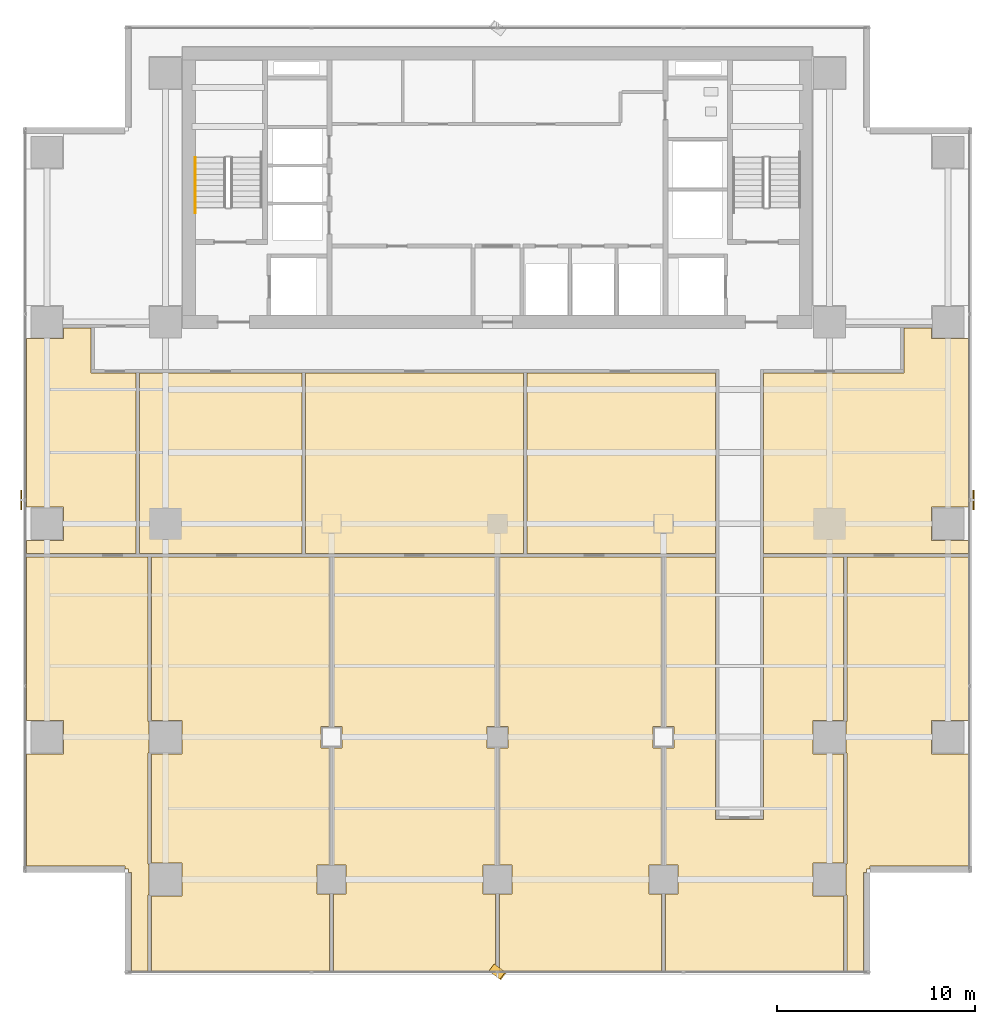
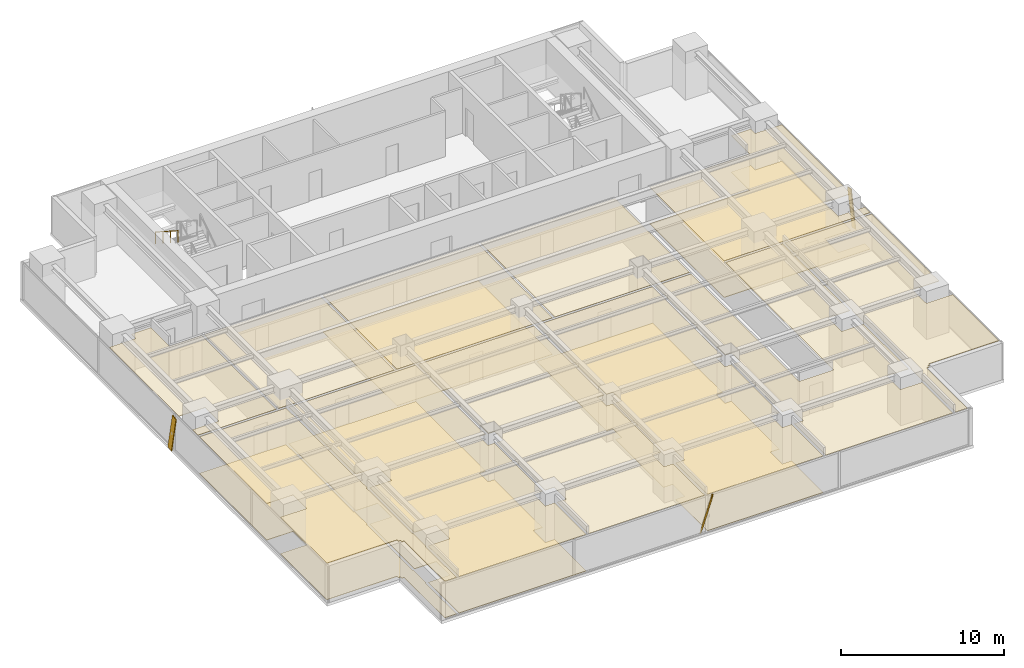
# One storey, part 24 of 28: 16 coverings, 3 shading devices, 1 railing.
"""IFC4 building model written with IfcOpenShell, lengths in metres."""

from ifc_helpers import new_model, si_unit, direction, frame, origin, origin_2d, place, context, subcontext, project, spatial, polyline, rectangle, outline, extrude, source, transform, mapped, material, layer, layer_set, material_profile, profile_set, type_object, element, save


model = new_model("IFC4")

# Units and contexts
model_context = context("Model", 3, precision=1e-05, world=origin(), true_north=direction((0.0, 1.0)))
body_context = subcontext(model_context, "Body", "Model", "MODEL_VIEW")
ifc_project = project(units=[si_unit("LENGTHUNIT", "METRE"), si_unit("AREAUNIT", "SQUARE_METRE"), si_unit("VOLUMEUNIT", "CUBIC_METRE"), si_unit("PLANEANGLEUNIT", "RADIAN"), si_unit("MASSUNIT", "GRAM", prefix="KILO")], contexts=[model_context])

# Site, building, storey
site_placement = place(None, origin())
site = spatial("IfcSite", under=ifc_project, at=site_placement, CompositionType="ELEMENT")
building_placement = place(site_placement, origin())
building = spatial("IfcBuilding", under=site, at=building_placement, Name="Sumidabori Civic Tower", CompositionType="ELEMENT")
storey_placement = place(building_placement, frame((0.0, 0.0, 149.60009765625)))
storey = spatial("IfcBuildingStorey", under=building, at=storey_placement, Name="L38", CompositionType="ELEMENT", Elevation=149.60009765625)

# Coverings
ifc_material_1 = material(Name="Acoustic Mineral Gypsum Ceiling Tile")
ifc_layer_1 = layer(ifc_material_1, 0.034912109375, Name="Acoustic Mineral Gypsum Ceiling Tile")
ifc_layer_set_1 = layer_set([ifc_layer_1], Name="Acoustic Mineral Gypsum Ceiling Tile")
covering_type_1 = type_object("IfcCoveringType", Name="CV-CEIL-AC1", PredefinedType="CEILING", material=ifc_layer_set_1)
covering_1_placement = place(storey_placement, frame((0.0, 0.0, 2.72998046875)))
element("IfcCovering", 1, at=covering_1_placement, inside=storey, type_object=covering_type_1, Name="Room Acoustic Ceiling L38-02", PredefinedType="CEILING", context=body_context, shape_type="SweptSolid", body=[
    extrude(outline(polyline([(-21.9599609375, 9.360107421875), (-21.9599609375, 9.905029296875), (-20.570068359375, 9.905029296875), (-20.570068359375, 7.6298828125), (-18.294921875, 7.6298828125), (-18.294921875, -1.5048828125), (-23.830078125, -1.5048828125), (-23.830078125, -0.840087890625), (-21.9599609375, -0.840087890625), (-21.9599609375, 0.840087890625), (-23.830078125, 0.840087890625), (-23.830078125, 9.360107421875), (-21.9599609375, 9.360107421875)])), origin(), (0.0, 0.0, 1.0), 0.034912109375),
])
covering_2_placement = place(storey_placement, frame((0.0, 0.0, 2.72998046875)))
element("IfcCovering", 2, at=covering_2_placement, inside=storey, type_object=covering_type_1, Name="Room Acoustic Ceiling L38-03", PredefinedType="CEILING", context=body_context, shape_type="SweptSolid", body=[
    extrude(outline(polyline([(13.469970703125, 7.6298828125), (20.570068359375, 7.6298828125), (20.570068359375, 9.905029296875), (21.9599609375, 9.905029296875), (21.9599609375, 9.360107421875), (23.830078125, 9.360107421875), (23.830078125, 0.840087890625), (21.9599609375, 0.840087890625), (21.9599609375, -0.840087890625), (23.830078125, -0.840087890625), (23.830078125, -1.5048828125), (13.469970703125, -1.5048828125), (13.469970703125, 7.6298828125)])), origin(), (0.0, 0.0, 1.0), 0.034912109375),
])
covering_3_placement = place(storey_placement, frame((0.0, 0.0, 2.72998046875)))
element("IfcCovering", 3, at=covering_3_placement, inside=storey, type_object=covering_type_1, Name="Room Acoustic Ceiling L38-04", PredefinedType="CEILING", context=body_context, shape_type="SweptSolid", body=[
    extrude(outline(polyline([(-18.10498046875, 7.6298828125), (-9.89501953125, 7.6298828125), (-9.89501953125, -1.5048828125), (-18.10498046875, -1.5048828125), (-18.10498046875, 7.6298828125)])), origin(), (0.0, 0.0, 1.0), 0.034912109375),
])
covering_4_placement = place(storey_placement, frame((0.0, 0.0, 2.72998046875)))
element("IfcCovering", 4, at=covering_4_placement, inside=storey, type_object=covering_type_1, Name="Room Acoustic Ceiling L38-05", PredefinedType="CEILING", context=body_context, shape_type="SweptSolid", body=[
    extrude(outline(polyline([(-9.705078125, 7.6298828125), (1.304931640625, 7.6298828125), (1.304931640625, -1.5048828125), (-9.705078125, -1.5048828125), (-9.705078125, 7.6298828125)])), origin(), (0.0, 0.0, 1.0), 0.034912109375),
])
covering_5_placement = place(storey_placement, frame((0.0, 0.0, 2.72998046875)))
element("IfcCovering", 5, at=covering_5_placement, inside=storey, type_object=covering_type_1, Name="Room Acoustic Ceiling L38-06", PredefinedType="CEILING", context=body_context, shape_type="SweptSolid", body=[
    extrude(outline(polyline([(1.4951171875, 7.6298828125), (11.030029296875, 7.6298828125), (11.030029296875, -1.5048828125), (1.4951171875, -1.5048828125), (1.4951171875, 7.6298828125)])), origin(), (0.0, 0.0, 1.0), 0.034912109375),
])
covering_6_placement = place(storey_placement, frame((0.0, 0.0, 2.72998046875)))
element("IfcCovering", 6, at=covering_6_placement, inside=storey, type_object=covering_type_1, Name="Room Acoustic Ceiling L38-07", PredefinedType="CEILING", context=body_context, shape_type="SweptSolid", body=[
    extrude(outline(polyline([(-21.9599609375, -11.639892578125), (-21.9599609375, -9.9599609375), (-23.830078125, -9.9599609375), (-23.830078125, -1.695068359375), (-17.695068359375, -1.695068359375), (-17.695068359375, -10.010009765625), (-17.639892578125, -10.010009765625), (-17.639892578125, -11.590087890625), (-17.695068359375, -11.590087890625), (-17.695068359375, -17.2099609375), (-17.639892578125, -17.2099609375), (-17.639892578125, -18.7900390625), (-17.695068359375, -18.7900390625), (-17.695068359375, -22.6298828125), (-18.52197265625, -22.6298828125), (-18.52197265625, -17.64208984375), (-18.679931640625, -17.64208984375), (-18.679931640625, -17.47998046875), (-18.842041015625, -17.47998046875), (-18.842041015625, -17.322021484375), (-23.830078125, -17.322021484375), (-23.830078125, -11.639892578125), (-21.9599609375, -11.639892578125)])), origin(), (0.0, 0.0, 1.0), 0.034912109375),
])
covering_7_placement = place(storey_placement, frame((0.0, 0.0, 2.72998046875)))
element("IfcCovering", 7, at=covering_7_placement, inside=storey, type_object=covering_type_1, Name="Room Acoustic Ceiling L38-08", PredefinedType="CEILING", context=body_context, shape_type="SweptSolid", body=[
    extrude(outline(polyline([(17.695068359375, -18.7900390625), (17.639892578125, -18.7900390625), (17.639892578125, -17.2099609375), (17.695068359375, -17.2099609375), (17.695068359375, -11.590087890625), (17.639892578125, -11.590087890625), (17.639892578125, -10.010009765625), (17.695068359375, -10.010009765625), (17.695068359375, -1.695068359375), (23.830078125, -1.695068359375), (23.830078125, -9.9599609375), (21.9599609375, -9.9599609375), (21.9599609375, -11.639892578125), (23.830078125, -11.639892578125), (23.830078125, -17.322021484375), (18.842041015625, -17.322021484375), (18.842041015625, -17.47998046875), (18.679931640625, -17.47998046875), (18.679931640625, -17.64208984375), (18.52197265625, -17.64208984375), (18.52197265625, -22.6298828125), (17.695068359375, -22.6298828125), (17.695068359375, -18.7900390625)])), origin(), (0.0, 0.0, 1.0), 0.034912109375),
])
covering_8_placement = place(storey_placement, frame((0.0, 0.0, 2.72998046875)))
element("IfcCovering", 8, at=covering_8_placement, inside=storey, type_object=covering_type_1, Name="Room Acoustic Ceiling L38-09", PredefinedType="CEILING", context=body_context, shape_type="SweptSolid", body=[
    extrude(outline(polyline([(-17.5048828125, -18.840087890625), (-15.9599609375, -18.840087890625), (-15.9599609375, -17.159912109375), (-17.5048828125, -17.159912109375), (-17.5048828125, -11.639892578125), (-15.9599609375, -11.639892578125), (-15.9599609375, -9.9599609375), (-17.5048828125, -9.9599609375), (-17.5048828125, -1.695068359375), (-8.4951171875, -1.695068359375), (-8.4951171875, -10.260009765625), (-8.93994140625, -10.260009765625), (-8.93994140625, -11.340087890625), (-8.4951171875, -11.340087890625), (-8.4951171875, -17.260009765625), (-9.139892578125, -17.260009765625), (-9.139892578125, -18.739990234375), (-8.4951171875, -18.739990234375), (-8.4951171875, -22.6298828125), (-17.5048828125, -22.6298828125), (-17.5048828125, -18.840087890625)])), origin(), (0.0, 0.0, 1.0), 0.034912109375),
])
covering_9_placement = place(storey_placement, frame((0.0, 0.0, 2.72998046875)))
element("IfcCovering", 9, at=covering_9_placement, inside=storey, type_object=covering_type_1, Name="Room Acoustic Ceiling L38-10", PredefinedType="CEILING", context=body_context, shape_type="SweptSolid", body=[
    extrude(outline(polyline([(-8.304931640625, -18.739990234375), (-7.659912109375, -18.739990234375), (-7.659912109375, -17.260009765625), (-8.304931640625, -17.260009765625), (-8.304931640625, -11.340087890625), (-7.860107421875, -11.340087890625), (-7.860107421875, -10.260009765625), (-8.304931640625, -10.260009765625), (-8.304931640625, -1.695068359375), (-0.094970703125, -1.695068359375), (-0.094970703125, -10.260009765625), (-0.5400390625, -10.260009765625), (-0.5400390625, -11.340087890625), (-0.094970703125, -11.340087890625), (-0.094970703125, -17.260009765625), (-0.739990234375, -17.260009765625), (-0.739990234375, -18.739990234375), (-0.094970703125, -18.739990234375), (-0.094970703125, -22.6298828125), (-8.304931640625, -22.6298828125), (-8.304931640625, -18.739990234375)])), origin(), (0.0, 0.0, 1.0), 0.034912109375),
])
covering_10_placement = place(storey_placement, frame((0.0, 0.0, 2.72998046875)))
element("IfcCovering", 10, at=covering_10_placement, inside=storey, type_object=covering_type_1, Name="Room Acoustic Ceiling L38-11", PredefinedType="CEILING", context=body_context, shape_type="SweptSolid", body=[
    extrude(outline(polyline([(0.094970703125, -18.739990234375), (0.739990234375, -18.739990234375), (0.739990234375, -17.260009765625), (0.094970703125, -17.260009765625), (0.094970703125, -11.340087890625), (0.5400390625, -11.340087890625), (0.5400390625, -10.260009765625), (0.094970703125, -10.260009765625), (0.094970703125, -1.695068359375), (8.304931640625, -1.695068359375), (8.304931640625, -10.260009765625), (7.860107421875, -10.260009765625), (7.860107421875, -11.340087890625), (8.304931640625, -11.340087890625), (8.304931640625, -17.260009765625), (7.659912109375, -17.260009765625), (7.659912109375, -18.739990234375), (8.304931640625, -18.739990234375), (8.304931640625, -22.6298828125), (0.094970703125, -22.6298828125), (0.094970703125, -18.739990234375)])), origin(), (0.0, 0.0, 1.0), 0.034912109375),
])
covering_11_placement = place(storey_placement, frame((0.0, 0.0, 2.72998046875)))
element("IfcCovering", 11, at=covering_11_placement, inside=storey, type_object=covering_type_1, Name="Room Acoustic Ceiling L38-12", PredefinedType="CEILING", context=body_context, shape_type="SweptSolid", body=[
    extrude(outline(polyline([(8.4951171875, -18.739990234375), (9.139892578125, -18.739990234375), (9.139892578125, -17.260009765625), (8.4951171875, -17.260009765625), (8.4951171875, -11.340087890625), (8.93994140625, -11.340087890625), (8.93994140625, -10.260009765625), (8.4951171875, -10.260009765625), (8.4951171875, -1.695068359375), (11.030029296875, -1.695068359375), (11.030029296875, -14.969970703125), (13.469970703125, -14.969970703125), (13.469970703125, -1.695068359375), (17.5048828125, -1.695068359375), (17.5048828125, -9.9599609375), (15.9599609375, -9.9599609375), (15.9599609375, -11.639892578125), (17.5048828125, -11.639892578125), (17.5048828125, -17.159912109375), (15.9599609375, -17.159912109375), (15.9599609375, -18.840087890625), (17.5048828125, -18.840087890625), (17.5048828125, -22.6298828125), (8.4951171875, -22.6298828125), (8.4951171875, -18.739990234375)])), origin(), (0.0, 0.0, 1.0), 0.034912109375),
])
ifc_material_2 = material(Name="Honed Terrazzo Tile Flooring")
ifc_layer_2 = layer(ifc_material_2, 0.030029296875, Name="Honed Terrazzo Tile Flooring")
ifc_layer_set_2 = layer_set([ifc_layer_2], Name="Honed Terrazzo Tile Flooring")
covering_type_2 = type_object("IfcCoveringType", Name="CV-FLR-TER", PredefinedType="FLOORING", material=ifc_layer_set_2)
covering_12_placement = place(storey_placement, origin())
element("IfcCovering", 12, at=covering_12_placement, inside=storey, type_object=covering_type_2, Name="Room Terrazzo Floor L38-03", PredefinedType="FLOORING", context=body_context, shape_type="SweptSolid", body=[
    extrude(outline(polyline([(13.469970703125, 7.6298828125), (20.570068359375, 7.6298828125), (20.570068359375, 9.905029296875), (21.9599609375, 9.905029296875), (21.9599609375, 9.360107421875), (23.830078125, 9.360107421875), (23.830078125, 0.840087890625), (21.9599609375, 0.840087890625), (21.9599609375, -0.840087890625), (23.830078125, -0.840087890625), (23.830078125, -1.5048828125), (13.469970703125, -1.5048828125), (13.469970703125, 7.6298828125)])), origin(), (0.0, 0.0, 1.0), 0.02978515625),
])
covering_13_placement = place(storey_placement, origin())
element("IfcCovering", 13, at=covering_13_placement, inside=storey, type_object=covering_type_2, Name="Room Terrazzo Floor L38-05", PredefinedType="FLOORING", context=body_context, shape_type="SweptSolid", body=[
    extrude(outline(polyline([(-9.705078125, 7.6298828125), (1.304931640625, 7.6298828125), (1.304931640625, -1.5048828125), (-9.705078125, -1.5048828125), (-9.705078125, 7.6298828125)])), origin(), (0.0, 0.0, 1.0), 0.02978515625),
])
covering_14_placement = place(storey_placement, origin())
element("IfcCovering", 14, at=covering_14_placement, inside=storey, type_object=covering_type_2, Name="Room Terrazzo Floor L38-07", PredefinedType="FLOORING", context=body_context, shape_type="SweptSolid", body=[
    extrude(outline(polyline([(-21.9599609375, -11.639892578125), (-21.9599609375, -9.9599609375), (-23.830078125, -9.9599609375), (-23.830078125, -1.695068359375), (-17.695068359375, -1.695068359375), (-17.695068359375, -10.010009765625), (-17.639892578125, -10.010009765625), (-17.639892578125, -11.590087890625), (-17.695068359375, -11.590087890625), (-17.695068359375, -17.2099609375), (-17.639892578125, -17.2099609375), (-17.639892578125, -18.7900390625), (-17.695068359375, -18.7900390625), (-17.695068359375, -22.6298828125), (-18.52197265625, -22.6298828125), (-18.52197265625, -17.64208984375), (-18.679931640625, -17.64208984375), (-18.679931640625, -17.47998046875), (-18.842041015625, -17.47998046875), (-18.842041015625, -17.322021484375), (-23.830078125, -17.322021484375), (-23.830078125, -11.639892578125), (-21.9599609375, -11.639892578125)])), origin(), (0.0, 0.0, 1.0), 0.02978515625),
])
covering_15_placement = place(storey_placement, origin())
element("IfcCovering", 15, at=covering_15_placement, inside=storey, type_object=covering_type_2, Name="Room Terrazzo Floor L38-09", PredefinedType="FLOORING", context=body_context, shape_type="SweptSolid", body=[
    extrude(outline(polyline([(-17.5048828125, -18.840087890625), (-15.9599609375, -18.840087890625), (-15.9599609375, -17.159912109375), (-17.5048828125, -17.159912109375), (-17.5048828125, -11.639892578125), (-15.9599609375, -11.639892578125), (-15.9599609375, -9.9599609375), (-17.5048828125, -9.9599609375), (-17.5048828125, -1.695068359375), (-8.4951171875, -1.695068359375), (-8.4951171875, -10.260009765625), (-8.93994140625, -10.260009765625), (-8.93994140625, -11.340087890625), (-8.4951171875, -11.340087890625), (-8.4951171875, -17.260009765625), (-9.139892578125, -17.260009765625), (-9.139892578125, -18.739990234375), (-8.4951171875, -18.739990234375), (-8.4951171875, -22.6298828125), (-17.5048828125, -22.6298828125), (-17.5048828125, -18.840087890625)])), origin(), (0.0, 0.0, 1.0), 0.02978515625),
])
covering_16_placement = place(storey_placement, origin())
element("IfcCovering", 16, at=covering_16_placement, inside=storey, type_object=covering_type_2, Name="Room Terrazzo Floor L38-11", PredefinedType="FLOORING", context=body_context, shape_type="SweptSolid", body=[
    extrude(outline(polyline([(0.094970703125, -18.739990234375), (0.739990234375, -18.739990234375), (0.739990234375, -17.260009765625), (0.094970703125, -17.260009765625), (0.094970703125, -11.340087890625), (0.5400390625, -11.340087890625), (0.5400390625, -10.260009765625), (0.094970703125, -10.260009765625), (0.094970703125, -1.695068359375), (8.304931640625, -1.695068359375), (8.304931640625, -10.260009765625), (7.860107421875, -10.260009765625), (7.860107421875, -11.340087890625), (8.304931640625, -11.340087890625), (8.304931640625, -17.260009765625), (7.659912109375, -17.260009765625), (7.659912109375, -18.739990234375), (8.304931640625, -18.739990234375), (8.304931640625, -22.6298828125), (0.094970703125, -22.6298828125), (0.094970703125, -18.739990234375)])), origin(), (0.0, 0.0, 1.0), 0.02978515625),
])

# Railing
ifc_material_3 = material(Name="Stainless Steel Hairline Finish", Category="steel")
railing_type = type_object("IfcRailingType", Name="RL-HANDRAIL", PredefinedType="HANDRAIL", material=ifc_material_3)
railing_placement = place(storey_placement, frame((-15.2900390625, 18.52001953125, 1.97998046875)))
element("IfcRailing", 17, at=railing_placement, inside=storey, type_object=railing_type, Name="L38 ST-1 stair handrail 2", PredefinedType="HANDRAIL", context=body_context, shape_type="SweptSolid", body=[
    extrude(rectangle(XDim=0.048095703125, YDim=0.048095703125, at=origin_2d()), frame((0.0, 0.0, 0.8759765625), z_axis=(0.0, -0.840675598268, 0.541539046124), x_axis=(1.0, 0.0, 0.0)), (0.0, 0.0, 1.0), 3.330810546875),
    extrude(rectangle(XDim=0.0419921875, YDim=0.0419921875, at=origin_2d()), origin(), (0.0, 0.0, 1.0), 0.851806640625),
    extrude(rectangle(XDim=0.0419921875, YDim=0.0419921875, at=origin_2d()), frame((0.0, -0.933349609375, 0.601318359375)), (0.0, 0.0, 1.0), 0.851806640625),
    extrude(rectangle(XDim=0.0419921875, YDim=0.0419921875, at=origin_2d()), frame((0.0, -1.86669921875, 1.202392578125)), (0.0, 0.0, 1.0), 0.851806640625),
    extrude(rectangle(XDim=0.0419921875, YDim=0.0419921875, at=origin_2d()), frame((0.0, -2.800048828125, 1.8037109375)), (0.0, 0.0, 1.0), 0.851806640625),
])

# Shading devices
ifc_material_4 = material(Name="Anodised Bronze Aluminium AW-6063-T6", Category="aluminium")
ifc_material_profile = material_profile(ifc_material_4, rectangle(XDim=0.06005859375, YDim=0.449951171875, at=origin_2d()), Name="BRONZE FIN 450x60")
ifc_profile_set = profile_set([ifc_material_profile], Name="Anodised Bronze Aluminium AW-6063-T6")
shading_device_type = type_object("IfcShadingDeviceType", Name="SH-FIN-450", PredefinedType="USERDEFINED", material=ifc_profile_set)
shared_shape_1 = source(origin(), body_context, "Body", "SweptSolid", [
    extrude(rectangle(XDim=0.06005859375, YDim=0.449951171875, at=origin_2d()), origin(), (0.0, 0.0, 1.0), 2.789306640625),
])
shading_device_placement = place(storey_placement, frame((-0.280029296875, -22.469970703125, 0.02001953125), z_axis=(0.200794136335, -0.150551837182, 0.967995794998), x_axis=(0.774477654896, -0.580689436103, -0.250966413819)))
element("IfcShadingDevice", 18, at=shading_device_placement, inside=storey, type_object=shading_device_type, Name="Bronze Anodised Diagonal Fin L38-02", ObjectType="FIN", PredefinedType="USERDEFINED", context=body_context, shape_type="MappedRepresentation", body=[
    mapped(shared_shape_1, transform((0.0, 0.0, 0.0), x_axis=(1.0, 0.0, 0.0), y_axis=(0.0, 1.0, 0.0), z_axis=(0.0, 0.0, 1.0), scale=1.0)),
])
shared_shape_2 = source(origin(), body_context, "Body", "SweptSolid", [
    extrude(rectangle(XDim=0.06005859375, YDim=0.449951171875, at=origin_2d()), origin(), (0.0, 0.0, 1.0), 2.75732421875),
])
for number, where, z_axis, x_axis, name in (
    (19, (24.090087890625, 0.919921875, 0.02001953125), (0.0, 0.203109150817, 0.979156102393), (-1.0, 0.0, 0.0), "Bronze Anodised Diagonal Fin L38-02"),
    (20, (-24.090087890625, 1.47998046875, 0.02001953125), (0.0, -0.203109150817, 0.979156102393), (-1.0, 0.0, 0.0), "Bronze Anodised Diagonal Fin L38-02"),
):
    element("IfcShadingDevice", number, at=place(storey_placement, frame(where, z_axis=z_axis, x_axis=x_axis)), inside=storey, type_object=shading_device_type, Name=name, ObjectType="FIN", PredefinedType="USERDEFINED", context=body_context, shape_type="MappedRepresentation", body=[
        mapped(shared_shape_2, transform((0.0, 0.0, 0.0), x_axis=(1.0, 0.0, 0.0), y_axis=(0.0, 1.0, 0.0), z_axis=(0.0, 0.0, 1.0), scale=1.0)),
    ])

save(model, "model.ifc")
